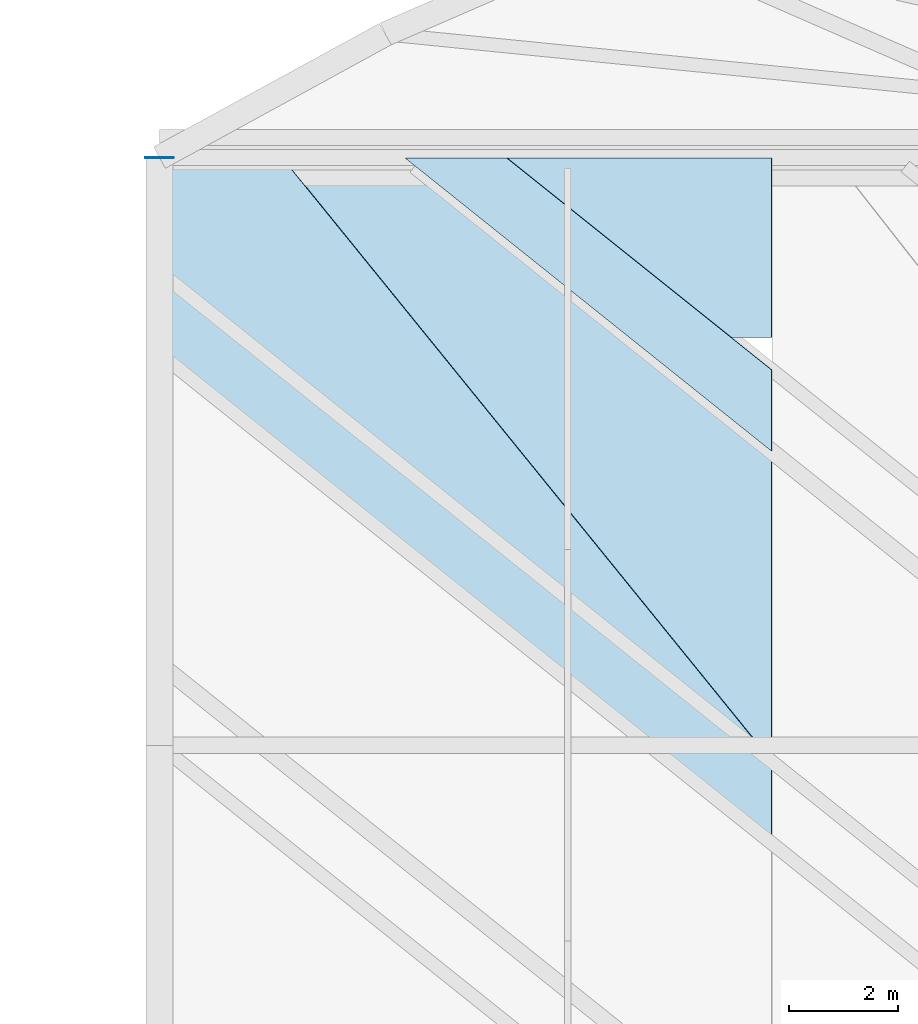
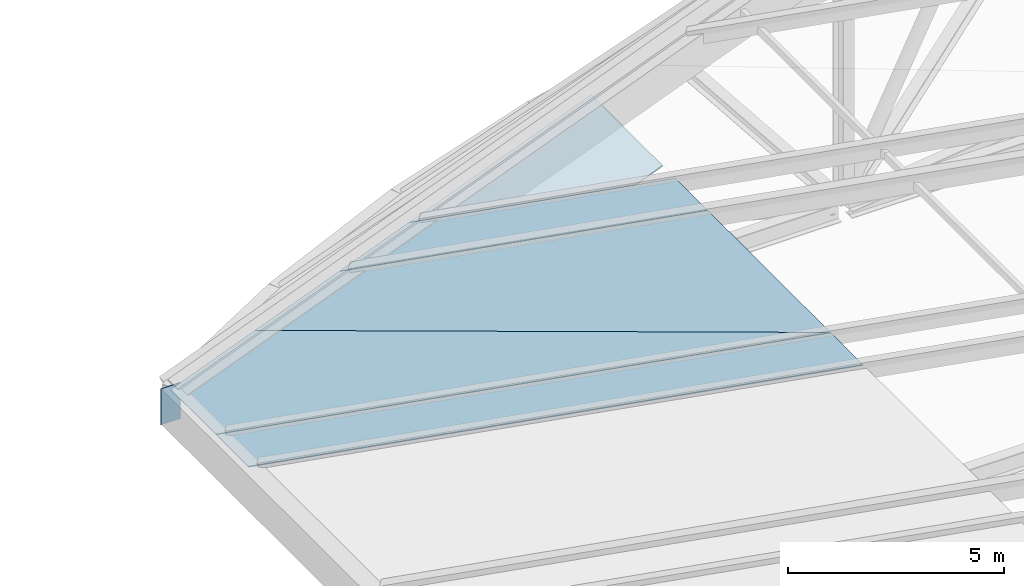
# One storey, part 66 of 110: 6 plates.
"""IFC4 building model written with IfcOpenShell, lengths in metres."""

from ifc_helpers import new_model, si_unit, direction, frame, origin, origin_2d, place, context, subcontext, project, spatial, polyline, rectangle, outline, extrude, material, layer, layer_set, type_object, element, save


model = new_model("IFC4")

# Units and contexts
model_context = context("Model", 3, precision=1e-05, world=origin(), true_north=direction((0.0, 1.0)))
body_context = subcontext(model_context, "Body", "Model", "MODEL_VIEW")
ifc_project = project(units=[si_unit("LENGTHUNIT", "METRE"), si_unit("AREAUNIT", "SQUARE_METRE"), si_unit("VOLUMEUNIT", "CUBIC_METRE"), si_unit("PLANEANGLEUNIT", "RADIAN"), si_unit("MASSUNIT", "GRAM", prefix="KILO")], contexts=[model_context])

# Site, building, storey
site_placement = place(None, origin())
site = spatial("IfcSite", under=ifc_project, at=site_placement, CompositionType="ELEMENT")
building_placement = place(site_placement, origin())
building = spatial("IfcBuilding", under=site, at=building_placement, Name="Tamarisk Ironworks Central Station", CompositionType="ELEMENT")
storey_placement = place(building_placement, frame((0.0, 0.0, 17.39990234375)))
storey = spatial("IfcBuildingStorey", under=building, at=storey_placement, Name="L03", CompositionType="ELEMENT", Elevation=17.39990234375)

# Plates
ifc_material_1 = material(Name="Painted structural steel S355J2", Category="steel")
ifc_layer_1 = layer(ifc_material_1, 0.01611328125)
ifc_layer_set_1 = layer_set([ifc_layer_1], Name="Painted structural steel S355J2")
plate_type_1 = type_object("IfcPlateType", Name="PL-EC16", PredefinedType="SHEET", material=ifc_layer_set_1)
plate_1_placement = place(storey_placement, frame((54.0, 111.60009765625, -1.60986328125), z_axis=(0.0, 0.0, 1.0), x_axis=(1.0, 0.0, 0.0)))
element("IfcPlate", 1, at=plate_1_placement, inside=storey, type_object=plate_type_1, Name="Eave box girder welded end-cap plate 002", PredefinedType="SHEET", context=body_context, shape_type="SweptSolid", body=[
    extrude(rectangle(XDim=0.52001953125, YDim=0.01611328125, at=origin_2d()), origin(), (0.0, 0.0, 1.0), 1.02001953125),
])
ifc_material_2 = material(Name="Laminated solar-control low-E glass", Category="glass")
ifc_layer_2 = layer(ifc_material_2, 0.031982421875)
ifc_layer_set_2 = layer_set([ifc_layer_2], Name="Laminated solar-control low-E glass")
plate_type_2 = type_object("IfcPlateType", Name="PL-RG32", PredefinedType="USERDEFINED", material=ifc_layer_set_2)
plate_2_placement = place(storey_placement, frame((65.24609375, 99.007080078125, 3.698486328125), z_axis=(-0.36422776346, 0.0, 0.931309903483), x_axis=(0.0, 1.0, 0.0)))
element("IfcPlate", 2, at=plate_2_placement, inside=storey, type_object=plate_type_2, Name="Concourse fitted 4-vertex fishbone roof glass panel 0089", ObjectType="ROOF GLAZING PANEL", PredefinedType="USERDEFINED", context=body_context, shape_type="SweptSolid", body=[
    extrude(outline(polyline([(0.0, 0.0), (1.4921875, 0.0), (10.48583984375, 12.071371149346136), (8.99365234375, 12.071371149346136), (0.0, 0.0)])), origin(), (0.0, 0.0, -1.0), 0.031982421875),
])
plate_3_placement = place(storey_placement, frame((65.24609375, 100.507080078125, 3.698486328125), z_axis=(-0.364227923751, 7.033467e-06, 0.931309840768), x_axis=(2.561785e-06, 0.999999999975, -6.550337e-06)))
element("IfcPlate", 3, at=plate_3_placement, inside=storey, type_object=plate_type_2, Name="Concourse fitted 4-vertex fishbone roof glass panel 0090", ObjectType="ROOF GLAZING PANEL", PredefinedType="USERDEFINED", context=body_context, shape_type="SweptSolid", body=[
    extrude(outline(polyline([(0.0, 0.0), (5.692138671734206, -2.41071449770923e-21), (11.088867187774282, 7.243692551953411), (11.088867187492694, 9.657531850649685), (0.0, 0.0)])), origin(), (0.0, 0.0, -1.0), 0.031982421875),
])
plate_4_placement = place(storey_placement, frame((65.24609375, 100.507080078125, 3.698486328125), z_axis=(-0.364219903819, 9.187056e-06, 0.931312977241), x_axis=(-0.611647404514, 0.754098899526, -0.239211835587)))
element("IfcPlate", 4, at=plate_4_placement, inside=storey, type_object=plate_type_2, Name="Concourse fitted 4-vertex fishbone roof glass panel 0091", ObjectType="ROOF GLAZING PANEL", PredefinedType="USERDEFINED", context=body_context, shape_type="SweptSolid", body=[
    extrude(outline(polyline([(0.0, 0.0), (14.704791632301275, -1.1102230246251565e-15), (16.290106847319507, 1.82027355916481), (14.710107639377192, 3.1963286975954857), (0.0, 0.0)])), origin(), (0.0, 0.0, -1.0), 0.031982421875),
])
plate_5_placement = place(storey_placement, frame((65.24609375, 106.207275390625, 3.698486328125), z_axis=(-0.364254196941, -3.032052e-05, 0.931299564636), x_axis=(-1.1044377e-05, 0.99999999954, 2.8237487e-05)))
element("IfcPlate", 5, at=plate_5_placement, inside=storey, type_object=plate_type_2, Name="Concourse fitted 4-vertex fishbone roof glass panel 0092", ObjectType="ROOF GLAZING PANEL", PredefinedType="USERDEFINED", context=body_context, shape_type="SweptSolid", body=[
    extrude(outline(polyline([(0.0, 0.0), (1.491943358689203, 0.0), (5.3886718774769955, 5.23036240776351), (5.388671876105401, 7.232947592940738), (0.0, 0.0)])), origin(), (0.0, 0.0, -1.0), 0.031982421875),
])
plate_6_placement = place(storey_placement, frame((65.24609375, 108.29052734375, 3.698486328125), z_axis=(-0.364219917203, 1.1178182e-05, 0.931312971985), x_axis=(4.071317e-06, 0.999999999938, -1.0410386e-05)))
element("IfcPlate", 6, at=plate_6_placement, inside=storey, type_object=plate_type_2, Name="Concourse fitted 4-vertex fishbone roof glass panel 0093", ObjectType="ROOF GLAZING PANEL", PredefinedType="USERDEFINED", context=body_context, shape_type="SweptSolid", body=[
    extrude(outline(polyline([(0.0, 0.0), (3.3054199216684914, -1.3998997891694302e-21), (3.3054199220815095, 5.219617451608999), (-4.1301802546438217e-10, 0.7830177516633111), (0.0, 0.0)])), origin(), (0.0, 0.0, -1.0), 0.031982421875),
])

save(model, "model.ifc")
